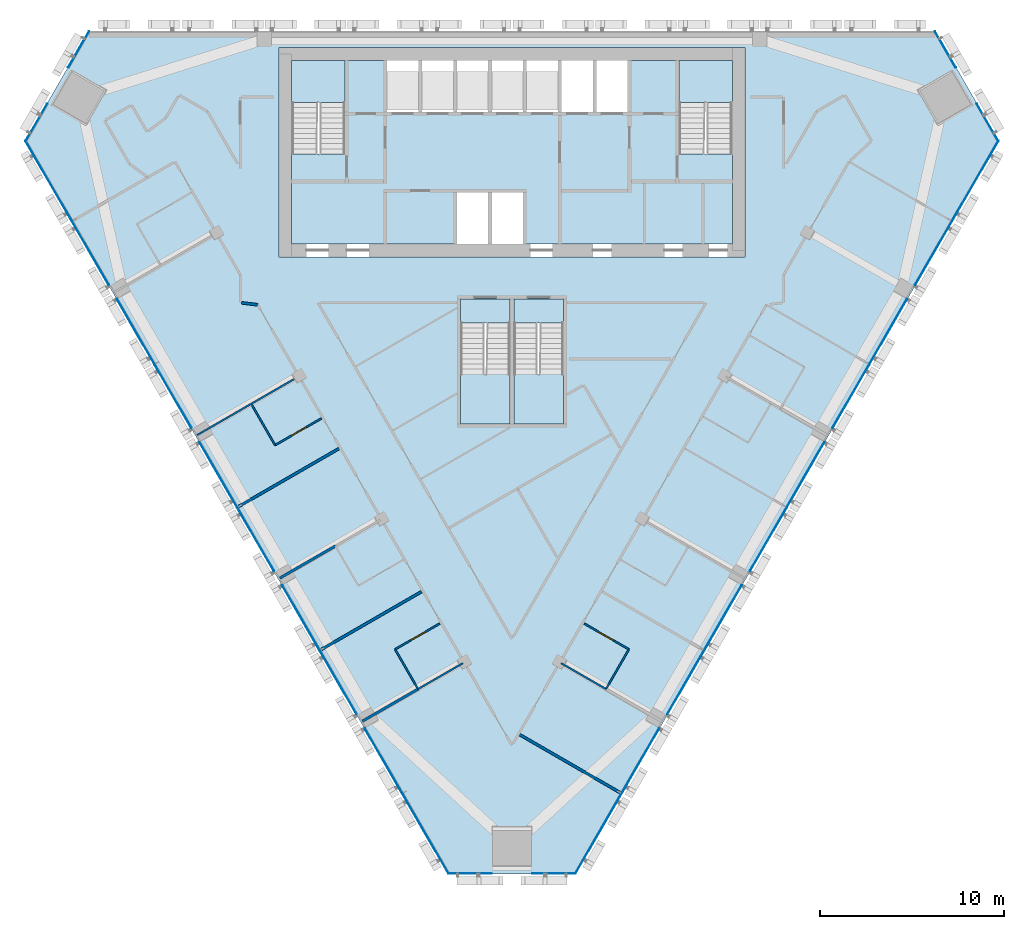
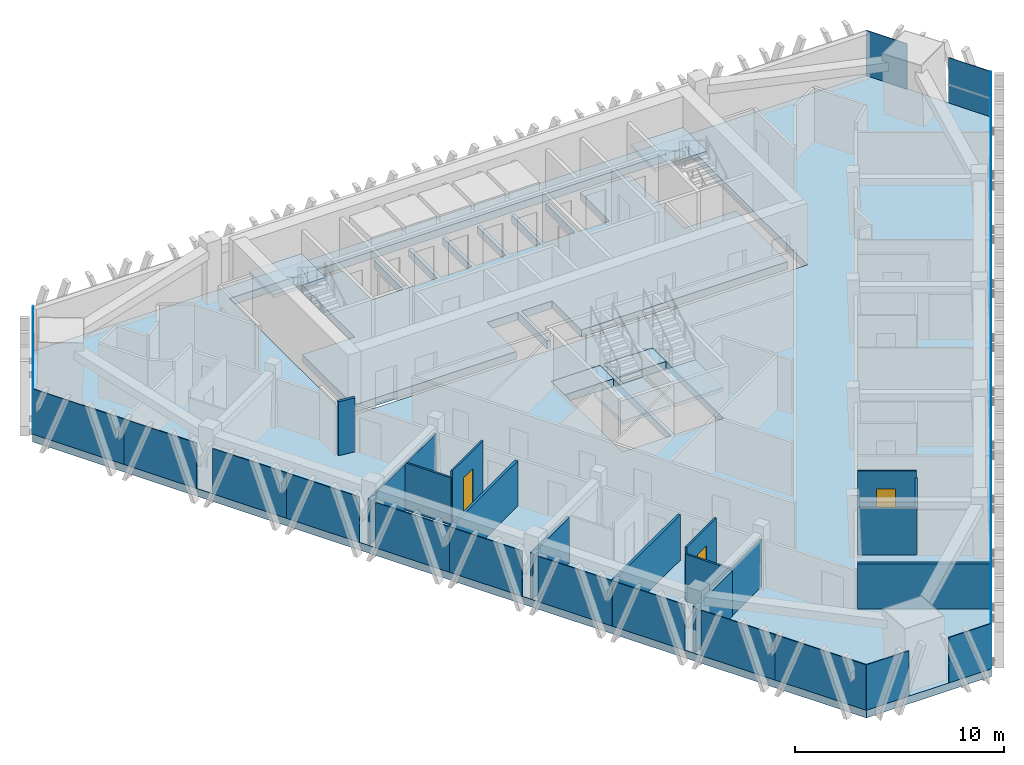
# One storey, part 8 of 15: 26 plates, 15 walls, 8 slabs, 3 doors, 3 openings, 9 elements without a shape of their own.
"""IFC4 building model written with IfcOpenShell, lengths in metres."""

from ifc_helpers import new_model, si_unit, direction, frame, frame_2d, origin, origin_2d, place, context, subcontext, project, spatial, polyline, rectangle, outline, extrude, material, layer, layer_set, type_object, element, fill, aggregate, save


model = new_model("IFC4")

# Units and contexts
model_context = context("Model", 3, precision=1e-05, world=origin(), true_north=direction((0.0, 1.0)))
body_context = subcontext(model_context, "Body", "Model", "MODEL_VIEW")
ifc_project = project(units=[si_unit("LENGTHUNIT", "METRE"), si_unit("AREAUNIT", "SQUARE_METRE"), si_unit("VOLUMEUNIT", "CUBIC_METRE"), si_unit("PLANEANGLEUNIT", "RADIAN"), si_unit("MASSUNIT", "GRAM", prefix="KILO")], contexts=[model_context])

# Site, building, storey
site_placement = place(None, origin())
site = spatial("IfcSite", under=ifc_project, at=site_placement, CompositionType="ELEMENT")
building_placement = place(site_placement, origin())
building = spatial("IfcBuilding", under=site, at=building_placement, Name="Altiplano Prism Tower", CompositionType="ELEMENT")
storey_placement = place(building_placement, frame((0.0, 0.0, 171.0)))
storey = spatial("IfcBuildingStorey", under=building, at=storey_placement, Name="L44", CompositionType="ELEMENT", Elevation=171.0)

# Curtain wall, plates
ifc_material_1 = material(Name="Aluminium and glass", Category="aluminium")
ifc_layer_1 = layer(ifc_material_1, 0.280029296875)
ifc_layer_set_1 = layer_set([ifc_layer_1], Name="Aluminium and glass")
curtain_wall_type = type_object("IfcCurtainWallType", Name="CW1 typical co-living unitised curtain wall", PredefinedType="NOTDEFINED", material=ifc_layer_set_1)
curtain_wall_1_placement = place(storey_placement, origin())
curtain_wall_1 = element("IfcCurtainWall", 1, at=curtain_wall_1_placement, inside=storey, type_object=curtain_wall_type, Name="CW1 curtain wall north-west chamfer L44", PredefinedType="NOTDEFINED")
ifc_material_2 = material(Name="Clear glass", Category="glass")
ifc_layer_2 = layer(ifc_material_2, 0.0400390625)
ifc_layer_set_2 = layer_set([ifc_layer_2], Name="Clear glass")
plate_type = type_object("IfcPlateType", Name="CW1 insulated glass unit 40", PredefinedType="CURTAIN_PANEL", material=ifc_layer_set_2)
plate_1_placement = place(storey_placement, frame((61.39453125, 104.00244140625, 0.0), z_axis=(0.0, 0.0, 1.0), x_axis=(-0.500000018304, -0.866025393216, 0.0)))
plate_1 = element("IfcPlate", 2, at=plate_1_placement, type_object=plate_type, Name="CW1 panel", PredefinedType="CURTAIN_PANEL", context=body_context, shape_type="SweptSolid", body=[
    extrude(rectangle(XDim=2.270751953125, YDim=0.0400390625, at=origin_2d()), origin(), (0.0, 0.0, 1.0), 2.64990234375),
])
plate_2_placement = place(storey_placement, frame((59.09423828125, 100.018310546875, 0.0), z_axis=(0.0, 0.0, 1.0), x_axis=(-0.500000018304, -0.866025393216, 0.0)))
plate_2 = element("IfcPlate", 3, at=plate_2_placement, type_object=plate_type, Name="CW1 panel", PredefinedType="CURTAIN_PANEL", context=body_context, shape_type="SweptSolid", body=[
    extrude(rectangle(XDim=2.3505859375, YDim=0.0400390625, at=origin_2d()), origin(), (0.0, 0.0, 1.0), 2.64990234375),
])
aggregate(curtain_wall_1, [plate_1, plate_2])

curtain_wall_2_placement = place(storey_placement, origin())
curtain_wall_2 = element("IfcCurtainWall", 4, at=curtain_wall_2_placement, inside=storey, type_object=curtain_wall_type, Name="CW1 curtain wall south-west face L44", PredefinedType="NOTDEFINED")
plate_3_placement = place(storey_placement, frame((59.76708984375, 96.828125, 0.0), z_axis=(0.0, 0.0, 1.0), x_axis=(0.499999992367, -0.866025408191, 0.0)))
plate_3 = element("IfcPlate", 5, at=plate_3_placement, type_object=plate_type, Name="CW1 panel", PredefinedType="CURTAIN_PANEL", context=body_context, shape_type="SweptSolid", body=[
    extrude(rectangle(XDim=5.042724609375, YDim=0.0400390625, at=origin_2d()), origin(), (0.0, 0.0, 1.0), 2.64990234375),
])
plate_4_placement = place(storey_placement, frame((62.035400390625, 92.8994140625, 0.0), z_axis=(0.0, 0.0, 1.0), x_axis=(0.499999992367, -0.866025408191, 0.0)))
plate_4 = element("IfcPlate", 6, at=plate_4_placement, type_object=plate_type, Name="CW1 panel", PredefinedType="CURTAIN_PANEL", context=body_context, shape_type="SweptSolid", body=[
    extrude(rectangle(XDim=4.010498046875, YDim=0.0400390625, at=origin_2d()), origin(), (0.0, 0.0, 1.0), 2.64990234375),
])
plate_5_placement = place(storey_placement, frame((64.505615234375, 88.62109375, 0.0), z_axis=(0.0, 0.0, 1.0), x_axis=(0.499999992367, -0.866025408191, 0.0)))
plate_5 = element("IfcPlate", 7, at=plate_5_placement, type_object=plate_type, Name="CW1 panel", PredefinedType="CURTAIN_PANEL", context=body_context, shape_type="SweptSolid", body=[
    extrude(rectangle(XDim=4.08935546875, YDim=0.0400390625, at=origin_2d()), origin(), (0.0, 0.0, 1.0), 2.64990234375),
])
plate_6_placement = place(storey_placement, frame((66.535400390625, 85.105224609375, 0.0), z_axis=(0.0, 0.0, 1.0), x_axis=(0.499999992367, -0.866025408191, 0.0)))
plate_6 = element("IfcPlate", 8, at=plate_6_placement, type_object=plate_type, Name="CW1 panel", PredefinedType="CURTAIN_PANEL", context=body_context, shape_type="SweptSolid", body=[
    extrude(rectangle(XDim=4.010498046875, YDim=0.0400390625, at=origin_2d()), origin(), (0.0, 0.0, 1.0), 2.64990234375),
])
plate_7_placement = place(storey_placement, frame((69.005615234375, 80.826904296875, 0.0), z_axis=(0.0, 0.0, 1.0), x_axis=(0.499999992367, -0.866025408191, 0.0)))
plate_7 = element("IfcPlate", 9, at=plate_7_placement, type_object=plate_type, Name="CW1 panel", PredefinedType="CURTAIN_PANEL", context=body_context, shape_type="SweptSolid", body=[
    extrude(rectangle(XDim=4.08935546875, YDim=0.0400390625, at=origin_2d()), origin(), (0.0, 0.0, 1.0), 2.64990234375),
])
plate_8_placement = place(storey_placement, frame((71.035400390625, 77.31103515625, 0.0), z_axis=(0.0, 0.0, 1.0), x_axis=(0.499999992367, -0.866025408191, 0.0)))
plate_8 = element("IfcPlate", 10, at=plate_8_placement, type_object=plate_type, Name="CW1 panel", PredefinedType="CURTAIN_PANEL", context=body_context, shape_type="SweptSolid", body=[
    extrude(rectangle(XDim=4.010498046875, YDim=0.0400390625, at=origin_2d()), origin(), (0.0, 0.0, 1.0), 2.64990234375),
])
plate_9_placement = place(storey_placement, frame((73.505615234375, 73.03271484375, 0.0), z_axis=(0.0, 0.0, 1.0), x_axis=(0.499999992367, -0.866025408191, 0.0)))
plate_9 = element("IfcPlate", 11, at=plate_9_placement, type_object=plate_type, Name="CW1 panel", PredefinedType="CURTAIN_PANEL", context=body_context, shape_type="SweptSolid", body=[
    extrude(rectangle(XDim=4.08935546875, YDim=0.0400390625, at=origin_2d()), origin(), (0.0, 0.0, 1.0), 2.64990234375),
])
plate_10_placement = place(storey_placement, frame((75.535400390625, 69.5166015625, 0.0), z_axis=(0.0, 0.0, 1.0), x_axis=(0.499999992367, -0.866025408191, 0.0)))
plate_10 = element("IfcPlate", 12, at=plate_10_placement, type_object=plate_type, Name="CW1 panel", PredefinedType="CURTAIN_PANEL", context=body_context, shape_type="SweptSolid", body=[
    extrude(rectangle(XDim=4.010498046875, YDim=0.0400390625, at=origin_2d()), origin(), (0.0, 0.0, 1.0), 2.64990234375),
])
plate_11_placement = place(storey_placement, frame((78.005615234375, 65.238525390625, 0.0), z_axis=(0.0, 0.0, 1.0), x_axis=(0.499999992367, -0.866025408191, 0.0)))
plate_11 = element("IfcPlate", 13, at=plate_11_placement, type_object=plate_type, Name="CW1 panel", PredefinedType="CURTAIN_PANEL", context=body_context, shape_type="SweptSolid", body=[
    extrude(rectangle(XDim=4.08935546875, YDim=0.0400390625, at=origin_2d()), origin(), (0.0, 0.0, 1.0), 2.64990234375),
])
plate_12_placement = place(storey_placement, frame((80.29345703125, 61.275390625, 0.0), z_axis=(0.0, 0.0, 1.0), x_axis=(0.499999992367, -0.866025408191, 0.0)))
plate_12 = element("IfcPlate", 14, at=plate_12_placement, type_object=plate_type, Name="CW1 panel", PredefinedType="CURTAIN_PANEL", context=body_context, shape_type="SweptSolid", body=[
    extrude(rectangle(XDim=5.042724609375, YDim=0.0400390625, at=origin_2d()), origin(), (0.0, 0.0, 1.0), 2.64990234375),
])
aggregate(curtain_wall_2, [plate_3, plate_4, plate_5, plate_6, plate_7, plate_8, plate_9, plate_10, plate_11, plate_12])

curtain_wall_3_placement = place(storey_placement, origin())
curtain_wall_3 = element("IfcCurtainWall", 15, at=curtain_wall_3_placement, inside=storey, type_object=curtain_wall_type, Name="CW1 curtain wall south chamfer L44", PredefinedType="NOTDEFINED")
plate_13_placement = place(storey_placement, frame((82.7197265625, 59.09765625, 0.0), z_axis=(0.0, 0.0, 1.0), x_axis=(1.0, 0.0, 0.0)))
plate_13 = element("IfcPlate", 16, at=plate_13_placement, type_object=plate_type, Name="CW1 panel", PredefinedType="CURTAIN_PANEL", context=body_context, shape_type="SweptSolid", body=[
    extrude(rectangle(XDim=2.3505859375, YDim=0.0400390625, at=origin_2d()), origin(), (0.0, 0.0, 1.0), 2.64990234375),
])
plate_14_placement = place(storey_placement, frame((87.2802734375, 59.09765625, 0.0), z_axis=(0.0, 0.0, 1.0), x_axis=(1.0, 0.0, 0.0)))
plate_14 = element("IfcPlate", 17, at=plate_14_placement, type_object=plate_type, Name="CW1 panel", PredefinedType="CURTAIN_PANEL", context=body_context, shape_type="SweptSolid", body=[
    extrude(rectangle(XDim=2.3505859375, YDim=0.0400390625, at=origin_2d()), origin(), (0.0, 0.0, 1.0), 2.64990234375),
])
aggregate(curtain_wall_3, [plate_13, plate_14])

curtain_wall_4_placement = place(storey_placement, origin())
curtain_wall_4 = element("IfcCurtainWall", 18, at=curtain_wall_4_placement, inside=storey, type_object=curtain_wall_type, Name="CW1 curtain wall south-east face L44", PredefinedType="NOTDEFINED")
plate_15_placement = place(storey_placement, frame((89.70654296875, 61.275390625, 0.0), z_axis=(0.0, 0.0, 1.0), x_axis=(0.499999992367, 0.866025408191, 0.0)))
plate_15 = element("IfcPlate", 19, at=plate_15_placement, type_object=plate_type, Name="CW1 panel", PredefinedType="CURTAIN_PANEL", context=body_context, shape_type="SweptSolid", body=[
    extrude(rectangle(XDim=5.042724609375, YDim=0.0400390625, at=origin_2d()), origin(), (0.0, 0.0, 1.0), 2.64990234375),
])
plate_16_placement = place(storey_placement, frame((91.994384765625, 65.238525390625, 0.0), z_axis=(0.0, 0.0, 1.0), x_axis=(0.499999992367, 0.866025408191, 0.0)))
plate_16 = element("IfcPlate", 20, at=plate_16_placement, type_object=plate_type, Name="CW1 panel", PredefinedType="CURTAIN_PANEL", context=body_context, shape_type="SweptSolid", body=[
    extrude(rectangle(XDim=4.08935546875, YDim=0.0400390625, at=origin_2d()), origin(), (0.0, 0.0, 1.0), 2.64990234375),
])
plate_17_placement = place(storey_placement, frame((94.464599609375, 69.5166015625, 0.0), z_axis=(0.0, 0.0, 1.0), x_axis=(0.499999992367, 0.866025408191, 0.0)))
plate_17 = element("IfcPlate", 21, at=plate_17_placement, type_object=plate_type, Name="CW1 panel", PredefinedType="CURTAIN_PANEL", context=body_context, shape_type="SweptSolid", body=[
    extrude(rectangle(XDim=4.010498046875, YDim=0.0400390625, at=origin_2d()), origin(), (0.0, 0.0, 1.0), 2.64990234375),
])
plate_18_placement = place(storey_placement, frame((96.494384765625, 73.03271484375, 0.0), z_axis=(0.0, 0.0, 1.0), x_axis=(0.499999992367, 0.866025408191, 0.0)))
plate_18 = element("IfcPlate", 22, at=plate_18_placement, type_object=plate_type, Name="CW1 panel", PredefinedType="CURTAIN_PANEL", context=body_context, shape_type="SweptSolid", body=[
    extrude(rectangle(XDim=4.08935546875, YDim=0.0400390625, at=origin_2d()), origin(), (0.0, 0.0, 1.0), 2.64990234375),
])
plate_19_placement = place(storey_placement, frame((98.964599609375, 77.31103515625, 0.0), z_axis=(0.0, 0.0, 1.0), x_axis=(0.499999992367, 0.866025408191, 0.0)))
plate_19 = element("IfcPlate", 23, at=plate_19_placement, type_object=plate_type, Name="CW1 panel", PredefinedType="CURTAIN_PANEL", context=body_context, shape_type="SweptSolid", body=[
    extrude(rectangle(XDim=4.010498046875, YDim=0.0400390625, at=origin_2d()), origin(), (0.0, 0.0, 1.0), 2.64990234375),
])
plate_20_placement = place(storey_placement, frame((100.994384765625, 80.826904296875, 0.0), z_axis=(0.0, 0.0, 1.0), x_axis=(0.499999992367, 0.866025408191, 0.0)))
plate_20 = element("IfcPlate", 24, at=plate_20_placement, type_object=plate_type, Name="CW1 panel", PredefinedType="CURTAIN_PANEL", context=body_context, shape_type="SweptSolid", body=[
    extrude(rectangle(XDim=4.08935546875, YDim=0.0400390625, at=origin_2d()), origin(), (0.0, 0.0, 1.0), 2.64990234375),
])
plate_21_placement = place(storey_placement, frame((103.464599609375, 85.105224609375, 0.0), z_axis=(0.0, 0.0, 1.0), x_axis=(0.499999992367, 0.866025408191, 0.0)))
plate_21 = element("IfcPlate", 25, at=plate_21_placement, type_object=plate_type, Name="CW1 panel", PredefinedType="CURTAIN_PANEL", context=body_context, shape_type="SweptSolid", body=[
    extrude(rectangle(XDim=4.010498046875, YDim=0.0400390625, at=origin_2d()), origin(), (0.0, 0.0, 1.0), 2.64990234375),
])
plate_22_placement = place(storey_placement, frame((105.494384765625, 88.62109375, 0.0), z_axis=(0.0, 0.0, 1.0), x_axis=(0.499999992367, 0.866025408191, 0.0)))
plate_22 = element("IfcPlate", 26, at=plate_22_placement, type_object=plate_type, Name="CW1 panel", PredefinedType="CURTAIN_PANEL", context=body_context, shape_type="SweptSolid", body=[
    extrude(rectangle(XDim=4.08935546875, YDim=0.0400390625, at=origin_2d()), origin(), (0.0, 0.0, 1.0), 2.64990234375),
])
plate_23_placement = place(storey_placement, frame((107.964599609375, 92.8994140625, 0.0), z_axis=(0.0, 0.0, 1.0), x_axis=(0.499999992367, 0.866025408191, 0.0)))
plate_23 = element("IfcPlate", 27, at=plate_23_placement, type_object=plate_type, Name="CW1 panel", PredefinedType="CURTAIN_PANEL", context=body_context, shape_type="SweptSolid", body=[
    extrude(rectangle(XDim=4.010498046875, YDim=0.0400390625, at=origin_2d()), origin(), (0.0, 0.0, 1.0), 2.64990234375),
])
plate_24_placement = place(storey_placement, frame((110.23291015625, 96.828125, 0.0), z_axis=(0.0, 0.0, 1.0), x_axis=(0.499999992367, 0.866025408191, 0.0)))
plate_24 = element("IfcPlate", 28, at=plate_24_placement, type_object=plate_type, Name="CW1 panel", PredefinedType="CURTAIN_PANEL", context=body_context, shape_type="SweptSolid", body=[
    extrude(rectangle(XDim=5.042724609375, YDim=0.0400390625, at=origin_2d()), origin(), (0.0, 0.0, 1.0), 2.64990234375),
])
aggregate(curtain_wall_4, [plate_15, plate_16, plate_17, plate_18, plate_19, plate_20, plate_21, plate_22, plate_23, plate_24])

curtain_wall_5_placement = place(storey_placement, origin())
curtain_wall_5 = element("IfcCurtainWall", 29, at=curtain_wall_5_placement, inside=storey, type_object=curtain_wall_type, Name="CW1 curtain wall north-east chamfer L44", PredefinedType="NOTDEFINED")
plate_25_placement = place(storey_placement, frame((110.90576171875, 100.018310546875, 0.0), z_axis=(0.0, 0.0, 1.0), x_axis=(-0.500000018304, 0.866025393216, 0.0)))
plate_25 = element("IfcPlate", 30, at=plate_25_placement, type_object=plate_type, Name="CW1 panel", PredefinedType="CURTAIN_PANEL", context=body_context, shape_type="SweptSolid", body=[
    extrude(rectangle(XDim=2.3505859375, YDim=0.0400390625, at=origin_2d()), origin(), (0.0, 0.0, 1.0), 2.64990234375),
])
plate_26_placement = place(storey_placement, frame((108.60546875, 104.00244140625, 0.0), z_axis=(0.0, 0.0, 1.0), x_axis=(-0.500000018304, 0.866025393216, 0.0)))
plate_26 = element("IfcPlate", 31, at=plate_26_placement, type_object=plate_type, Name="CW1 panel", PredefinedType="CURTAIN_PANEL", context=body_context, shape_type="SweptSolid", body=[
    extrude(rectangle(XDim=2.270751953125, YDim=0.0400390625, at=origin_2d()), origin(), (0.0, 0.0, 1.0), 2.64990234375),
])
aggregate(curtain_wall_5, [plate_25, plate_26])

# Slabs
ifc_material_3 = material(Name="Concrete C40/50", Category="concrete")
ifc_layer_3 = layer(ifc_material_3, 0.449951171875)
ifc_layer_set_3 = layer_set([ifc_layer_3], Name="Concrete C40/50")
slab_type_1 = type_object("IfcSlabType", Name="Core floor slab 450", PredefinedType="FLOOR", material=ifc_layer_set_3)
slab_1_placement = place(storey_placement, frame((0.0, 0.0, -0.449951171875)))
element("IfcSlab", 32, at=slab_1_placement, inside=storey, type_object=slab_type_1, Name="Core floor slab L44", PredefinedType="FLOOR", context=body_context, shape_type="SweptSolid", body=[
    extrude(outline(polyline([(97.0, 98.31005859375), (94.10009765625, 98.31005859375), (94.10009765625, 103.39990234375), (91.300048828125, 103.39990234375), (91.300048828125, 100.60009765625), (89.60009765625, 100.60009765625), (89.60009765625, 103.39990234375), (89.39990234375, 103.39990234375), (89.39990234375, 100.60009765625), (87.699951171875, 100.60009765625), (87.699951171875, 103.39990234375), (87.5, 103.39990234375), (87.5, 100.60009765625), (85.800048828125, 100.60009765625), (85.800048828125, 103.39990234375), (85.60009765625, 103.39990234375), (85.60009765625, 100.60009765625), (83.89990234375, 100.60009765625), (83.89990234375, 103.39990234375), (83.699951171875, 103.39990234375), (83.699951171875, 100.60009765625), (82.0, 100.60009765625), (82.0, 103.39990234375), (81.800048828125, 103.39990234375), (81.800048828125, 100.60009765625), (80.10009765625, 100.60009765625), (80.10009765625, 103.39990234375), (79.89990234375, 103.39990234375), (79.89990234375, 100.60009765625), (78.199951171875, 100.60009765625), (78.199951171875, 103.39990234375), (75.89990234375, 103.39990234375), (75.89990234375, 98.31005859375), (73.0, 98.31005859375), (73.0, 93.39990234375), (82.0, 93.39990234375), (82.0, 96.199951171875), (83.699951171875, 96.199951171875), (83.699951171875, 93.39990234375), (83.89990234375, 93.39990234375), (83.89990234375, 96.199951171875), (85.60009765625, 96.199951171875), (85.60009765625, 93.39990234375), (97.0, 93.39990234375), (97.0, 98.31005859375)])), origin(), (0.0, 0.0, 1.0), 0.449951171875),
])
slab_2_placement = place(storey_placement, frame((0.0, 0.0, -0.449951171875)))
element("IfcSlab", 33, at=slab_2_placement, inside=storey, type_object=slab_type_1, Name="Stair 3A landing slab L44", PredefinedType="FLOOR", context=body_context, shape_type="SweptSolid", body=[
    extrude(outline(polyline([(82.199951171875, 89.096923828125), (84.89990234375, 89.096923828125), (84.89990234375, 90.39990234375), (82.199951171875, 90.39990234375), (82.199951171875, 89.096923828125)])), origin(), (0.0, 0.0, 1.0), 0.449951171875),
])
slab_3_placement = place(storey_placement, frame((0.0, 0.0, -0.449951171875)))
element("IfcSlab", 34, at=slab_3_placement, inside=storey, type_object=slab_type_1, Name="Stair 3B landing slab L44", PredefinedType="FLOOR", context=body_context, shape_type="SweptSolid", body=[
    extrude(outline(polyline([(85.10009765625, 89.096923828125), (87.800048828125, 89.096923828125), (87.800048828125, 90.39990234375), (85.10009765625, 90.39990234375), (85.10009765625, 89.096923828125)])), origin(), (0.0, 0.0, 1.0), 0.449951171875),
])
ifc_layer_4 = layer(ifc_material_3, 0.449951171875)
ifc_layer_set_4 = layer_set([ifc_layer_4], Name="Concrete C40/50")
slab_type_2 = type_object("IfcSlabType", Name="Post-tensioned flat slab 450", PredefinedType="FLOOR", material=ifc_layer_set_4)
slab_4_placement = place(storey_placement, frame((0.0, 0.0, -0.449951171875)))
element("IfcSlab", 35, at=slab_4_placement, inside=storey, type_object=slab_type_2, Name="Floor slab L44", PredefinedType="FLOOR", context=body_context, shape_type="SweptSolid", body=[
    extrude(outline(polyline([(81.539306640625, 59.07763671875), (58.48681640625, 99.006103515625), (61.947265625, 105.0), (108.052734375, 105.0), (111.51318359375, 99.006103515625), (88.460693359375, 59.07763671875), (81.539306640625, 59.07763671875)]), holes=[polyline([(72.300048828125, 104.10009765625), (72.300048828125, 92.699951171875), (97.699951171875, 92.699951171875), (97.699951171875, 104.10009765625), (72.300048828125, 104.10009765625)]), polyline([(84.89990234375, 90.39990234375), (82.199951171875, 90.39990234375), (82.199951171875, 83.60009765625), (84.89990234375, 83.60009765625), (84.89990234375, 90.39990234375)]), polyline([(87.800048828125, 83.60009765625), (87.800048828125, 90.39990234375), (85.10009765625, 90.39990234375), (85.10009765625, 83.60009765625), (87.800048828125, 83.60009765625)])]), origin(), (0.0, 0.0, 1.0), 0.449951171875),
])

# Stair, slab
stair_type_1 = type_object("IfcStairType", Name="Exit stair 1400", PredefinedType="HALF_TURN_STAIR", material=ifc_material_3)
stair_1_placement = place(storey_placement, origin())
stair_1 = element("IfcStair", 36, at=stair_1_placement, inside=storey, type_object=stair_type_1, Name="L44 Exit Stair 1", PredefinedType="HALF_TURN_STAIR")
ifc_layer_5 = layer(ifc_material_3, 0.199951171875)
ifc_layer_set_5 = layer_set([ifc_layer_5], Name="Concrete C40/50")
slab_type_3 = type_object("IfcSlabType", Name="Stair landing 200", PredefinedType="LANDING", material=ifc_layer_set_5)
slab_5_placement = place(storey_placement, frame((0.0, 0.0, 1.60009765625)))
slab_5 = element("IfcSlab", 37, at=slab_5_placement, type_object=slab_type_3, Name="ST1 landing 1", PredefinedType="LANDING", context=body_context, shape_type="SweptSolid", body=[
    extrude(outline(polyline([(75.89990234375, 101.096923828125), (75.89990234375, 103.39990234375), (73.0, 103.39990234375), (73.0, 101.096923828125), (75.89990234375, 101.096923828125)])), origin(), (0.0, 0.0, 1.0), 0.199951171875),
])
aggregate(stair_1, [slab_5])

stair_2_placement = place(storey_placement, origin())
stair_2 = element("IfcStair", 38, at=stair_2_placement, inside=storey, type_object=stair_type_1, Name="L44 Exit Stair 2", PredefinedType="HALF_TURN_STAIR")
slab_6_placement = place(storey_placement, frame((0.0, 0.0, 1.60009765625)))
slab_6 = element("IfcSlab", 39, at=slab_6_placement, type_object=slab_type_3, Name="ST2 landing 1", PredefinedType="LANDING", context=body_context, shape_type="SweptSolid", body=[
    extrude(outline(polyline([(97.0, 101.096923828125), (97.0, 103.39990234375), (94.10009765625, 103.39990234375), (94.10009765625, 101.096923828125), (97.0, 101.096923828125)])), origin(), (0.0, 0.0, 1.0), 0.199951171875),
])
aggregate(stair_2, [slab_6])

stair_type_2 = type_object("IfcStairType", Name="Exit stair 1300", PredefinedType="HALF_TURN_STAIR", material=ifc_material_3)
stair_3_placement = place(storey_placement, origin())
stair_3 = element("IfcStair", 40, at=stair_3_placement, inside=storey, type_object=stair_type_2, Name="L44 Exit Stair 3A", PredefinedType="HALF_TURN_STAIR")
slab_7_placement = place(storey_placement, frame((0.0, 0.0, 1.60009765625)))
slab_7 = element("IfcSlab", 41, at=slab_7_placement, type_object=slab_type_3, Name="ST3A landing 1", PredefinedType="LANDING", context=body_context, shape_type="SweptSolid", body=[
    extrude(outline(polyline([(82.199951171875, 86.302978515625), (82.199951171875, 83.60009765625), (84.89990234375, 83.60009765625), (84.89990234375, 86.302978515625), (82.199951171875, 86.302978515625)])), origin(), (0.0, 0.0, 1.0), 0.199951171875),
])
aggregate(stair_3, [slab_7])

stair_4_placement = place(storey_placement, origin())
stair_4 = element("IfcStair", 42, at=stair_4_placement, inside=storey, type_object=stair_type_2, Name="L44 Exit Stair 3B", PredefinedType="HALF_TURN_STAIR")
slab_8_placement = place(storey_placement, frame((0.0, 0.0, 1.60009765625)))
slab_8 = element("IfcSlab", 43, at=slab_8_placement, type_object=slab_type_3, Name="ST3B landing 1", PredefinedType="LANDING", context=body_context, shape_type="SweptSolid", body=[
    extrude(outline(polyline([(85.10009765625, 86.302978515625), (85.10009765625, 83.60009765625), (87.800048828125, 83.60009765625), (87.800048828125, 86.302978515625), (85.10009765625, 86.302978515625)])), origin(), (0.0, 0.0, 1.0), 0.199951171875),
])
aggregate(stair_4, [slab_8])

# Wall, opening, door
ifc_material_4 = material(Name="Plasterboard on steel stud", Category="steel")
ifc_layer_6 = layer(ifc_material_4, 0.10009765625)
ifc_layer_set_6 = layer_set([ifc_layer_6], Name="Plasterboard on steel stud")
wall_type_1 = type_object("IfcWallType", Name="Partition 100 unit", PredefinedType="PARTITIONING", material=ifc_layer_set_6)
wall_1_placement = place(storey_placement, frame((74.627197265625, 83.89990234375, 0.0), z_axis=(0.0, 0.0, 1.0), x_axis=(-0.865989585315, -0.500062034277, 0.0)))
wall_1 = element("IfcWall", 44, at=wall_1_placement, inside=storey, type_object=wall_type_1, Name="Partition P02 L44 043", PredefinedType="PARTITIONING", context=body_context, shape_type="SweptSolid", body=[
    extrude(rectangle(XDim=2.925048828125, YDim=0.10009765625, at=frame_2d((1.46240234375, 0.0))), origin(), (0.0, 0.0, 1.0), 3.14990234375),
])
opening_1_placement = place(wall_1_placement, frame((0.97509765625, 0.0, 0.0)))
opening_1 = element("IfcOpeningElement", 45, at=opening_1_placement, cuts=wall_1, Name="Opening D1553", PredefinedType="OPENING", context=body_context, shape_type="SweptSolid", body=[
    extrude(rectangle(XDim=0.89990234375, YDim=2.10009765625, at=frame_2d((0.449951171875, 1.050048828125))), frame((0.0, 0.060546875, 0.0), z_axis=(0.0, -1.0, 0.0), x_axis=(1.0, 0.0, 0.0)), (0.0, 0.0, 1.0), 0.12109375),
])
ifc_material_5 = material(Name="Timber", Category="wood")
door_type = type_object("IfcDoorType", Name="Ensuite door 900 x 2100", OperationType="NOTDEFINED", PredefinedType="NOTDEFINED", material=ifc_material_5)
door_1_placement = place(opening_1_placement, origin())
door_1 = element("IfcDoor", 46, at=door_1_placement, inside=storey, type_object=door_type, Name="Door D1553", OperationType="SINGLE_SWING_LEFT", OverallHeight=2.10009765625, OverallWidth=0.89990234375, PredefinedType="NOTDEFINED", context=body_context, shape_type="SweptSolid", body=[
    extrude(rectangle(XDim=0.89990234375, YDim=2.10009765625, at=frame_2d((0.449951171875, 1.050048828125))), frame((0.0, 0.02490234375, 0.0), z_axis=(0.0, -1.0, 0.0), x_axis=(1.0, 0.0, 0.0)), (0.0, 0.0, 1.0), 0.050048828125),
])
fill(opening_1, door_1)

# Walls
wall_2_placement = place(storey_placement, frame((72.09423828125, 82.437255859375, 0.0), z_axis=(0.0, 0.0, 1.0), x_axis=(-0.500020783669, 0.866013403995, 0.0)))
element("IfcWall", 47, at=wall_2_placement, inside=storey, type_object=wall_type_1, Name="Partition P02 L44 044", PredefinedType="PARTITIONING", context=body_context, shape_type="SweptSolid", body=[
    extrude(rectangle(XDim=2.55029296875, YDim=0.10009765625, at=frame_2d((1.275146484375, 0.0))), origin(), (0.0, 0.0, 1.0), 2.75),
])
wall_3_placement = place(storey_placement, frame((79.84326171875, 69.21533203125, 0.0), z_axis=(0.0, 0.0, 1.0), x_axis=(-0.499928696113, 0.866066567189, 0.0)))
element("IfcWall", 48, at=wall_3_placement, inside=storey, type_object=wall_type_1, Name="Partition P02 L44 051", PredefinedType="PARTITIONING", context=body_context, shape_type="SweptSolid", body=[
    extrude(rectangle(XDim=2.425048828125, YDim=0.10009765625, at=frame_2d((1.21240234375, 0.0))), origin(), (0.0, 0.0, 1.0), 2.75),
])

# Wall, opening, door
wall_4_placement = place(storey_placement, frame((78.630859375, 71.315673828125, 0.0), z_axis=(0.0, 0.0, 1.0), x_axis=(0.866027263711, 0.4999967785, 0.0)))
wall_4 = element("IfcWall", 49, at=wall_4_placement, inside=storey, type_object=wall_type_1, Name="Partition P02 L44 052", PredefinedType="PARTITIONING", context=body_context, shape_type="SweptSolid", body=[
    extrude(rectangle(XDim=2.82470703125, YDim=0.10009765625, at=frame_2d((1.412353515625, 0.0))), origin(), (0.0, 0.0, 1.0), 3.14990234375),
])
opening_2_placement = place(wall_4_placement, frame((1.0, 0.0, 0.0)))
opening_2 = element("IfcOpeningElement", 50, at=opening_2_placement, cuts=wall_4, Name="Opening D1558", PredefinedType="OPENING", context=body_context, shape_type="SweptSolid", body=[
    extrude(rectangle(XDim=0.89990234375, YDim=2.10009765625, at=frame_2d((0.449951171875, 1.050048828125))), frame((0.0, 0.060546875, 0.0), z_axis=(0.0, -1.0, 0.0), x_axis=(1.0, 0.0, 0.0)), (0.0, 0.0, 1.0), 0.12109375),
])
door_2_placement = place(opening_2_placement, origin())
door_2 = element("IfcDoor", 51, at=door_2_placement, inside=storey, type_object=door_type, Name="Door D1558", OperationType="SINGLE_SWING_RIGHT", OverallHeight=2.10009765625, OverallWidth=0.89990234375, PredefinedType="NOTDEFINED", context=body_context, shape_type="SweptSolid", body=[
    extrude(rectangle(XDim=0.89990234375, YDim=2.10009765625, at=frame_2d((0.449951171875, 1.050048828125))), frame((0.0, 0.02490234375, 0.0), z_axis=(0.0, -1.0, 0.0), x_axis=(1.0, 0.0, 0.0)), (0.0, 0.0, 1.0), 0.050048828125),
])
fill(opening_2, door_2)

wall_5_placement = place(storey_placement, frame((88.9228515625, 72.72802734375, 0.0), z_axis=(0.0, 0.0, 1.0), x_axis=(0.866027263711, -0.4999967785, 0.0)))
wall_5 = element("IfcWall", 52, at=wall_5_placement, inside=storey, type_object=wall_type_1, Name="Partition P02 L44 058", PredefinedType="PARTITIONING", context=body_context, shape_type="SweptSolid", body=[
    extrude(rectangle(XDim=2.82470703125, YDim=0.10009765625, at=frame_2d((1.412353515625, 0.0))), origin(), (0.0, 0.0, 1.0), 3.14990234375),
])
opening_3_placement = place(wall_5_placement, frame((0.925048828125, 0.0, 0.0)))
opening_3 = element("IfcOpeningElement", 53, at=opening_3_placement, cuts=wall_5, Name="Opening D1562", PredefinedType="OPENING", context=body_context, shape_type="SweptSolid", body=[
    extrude(rectangle(XDim=0.89990234375, YDim=2.10009765625, at=frame_2d((0.449951171875, 1.050048828125))), frame((0.0, 0.060546875, 0.0), z_axis=(0.0, -1.0, 0.0), x_axis=(1.0, 0.0, 0.0)), (0.0, 0.0, 1.0), 0.12109375),
])
door_3_placement = place(opening_3_placement, origin())
door_3 = element("IfcDoor", 54, at=door_3_placement, inside=storey, type_object=door_type, Name="Door D1562", OperationType="SINGLE_SWING_LEFT", OverallHeight=2.10009765625, OverallWidth=0.89990234375, PredefinedType="NOTDEFINED", context=body_context, shape_type="SweptSolid", body=[
    extrude(rectangle(XDim=0.89990234375, YDim=2.10009765625, at=frame_2d((0.449951171875, 1.050048828125))), frame((0.0, 0.02490234375, 0.0), z_axis=(0.0, -1.0, 0.0), x_axis=(1.0, 0.0, 0.0)), (0.0, 0.0, 1.0), 0.050048828125),
])
fill(opening_3, door_3)

# Walls
wall_6_placement = place(storey_placement, frame((91.369140625, 71.315673828125, 0.0), z_axis=(0.0, 0.0, 1.0), x_axis=(-0.499961950354, -0.866047370643, 0.0)))
element("IfcWall", 55, at=wall_6_placement, inside=storey, type_object=wall_type_1, Name="Partition P02 L44 059", PredefinedType="PARTITIONING", context=body_context, shape_type="SweptSolid", body=[
    extrude(rectangle(XDim=2.500244140625, YDim=0.10009765625, at=frame_2d((1.25, 0.0))), origin(), (0.0, 0.0, 1.0), 2.75),
])
ifc_layer_7 = layer(ifc_material_4, 0.10009765625)
ifc_layer_set_7 = layer_set([ifc_layer_7], Name="Plasterboard on steel stud")
wall_type_2 = type_object("IfcWallType", Name="Partition 100 wet", PredefinedType="PARTITIONING", material=ifc_layer_set_7)
wall_7_placement = place(storey_placement, frame((67.849609375, 82.989013671875, 0.0), z_axis=(0.0, 0.0, 1.0), x_axis=(0.866032601554, 0.49998753289, 0.0)))
element("IfcWall", 56, at=wall_7_placement, inside=storey, type_object=wall_type_2, Name="Partition P03 L44 042", PredefinedType="PARTITIONING", context=body_context, shape_type="SweptSolid", body=[
    extrude(rectangle(XDim=6.324951171875, YDim=0.10009765625, at=frame_2d((3.16259765625, 0.0))), origin(), (0.0, 0.0, 1.0), 2.64990234375),
])
wall_8_placement = place(storey_placement, frame((79.863525390625, 69.140380859375, 0.0), z_axis=(0.0, 0.0, 1.0), x_axis=(0.865989785908, 0.500061686898, 0.0)))
element("IfcWall", 57, at=wall_8_placement, inside=storey, type_object=wall_type_2, Name="Partition P03 L44 054", PredefinedType="PARTITIONING", context=body_context, shape_type="SweptSolid", body=[
    extrude(rectangle(XDim=2.844970703125, YDim=0.10009765625, at=frame_2d((1.42236328125, 0.0))), origin(), (0.0, 0.0, 1.0), 2.75),
])
wall_9_placement = place(storey_placement, frame((90.119140625, 69.150390625, 0.0), z_axis=(0.0, 0.0, 1.0), x_axis=(-0.865989837833, 0.500061596976, 0.0)))
element("IfcWall", 58, at=wall_9_placement, inside=storey, type_object=wall_type_2, Name="Partition P03 L44 057", PredefinedType="PARTITIONING", context=body_context, shape_type="SweptSolid", body=[
    extrude(rectangle(XDim=2.824951171875, YDim=0.10009765625, at=frame_2d((1.41259765625, 0.0))), origin(), (0.0, 0.0, 1.0), 2.75),
])
ifc_layer_8 = layer(ifc_material_4, 0.14990234375)
ifc_layer_set_8 = layer_set([ifc_layer_8], Name="Plasterboard on steel stud")
wall_type_3 = type_object("IfcWallType", Name="Partition 150 corridor", PredefinedType="PARTITIONING", material=ifc_layer_set_8)
wall_10_placement = place(storey_placement, frame((70.27392578125, 90.191162109375, 0.0), z_axis=(0.0, 0.0, 1.0), x_axis=(0.99277212406, -0.120014622813, 0.0)))
element("IfcWall", 59, at=wall_10_placement, inside=storey, type_object=wall_type_3, Name="Partition P06 L44 008", PredefinedType="PARTITIONING", context=body_context, shape_type="SweptSolid", body=[
    extrude(rectangle(XDim=0.874755859375, YDim=0.14990234375, at=frame_2d((0.4375, 0.0))), origin(), (0.0, 0.0, 1.0), 3.14990234375),
])
ifc_layer_9 = layer(ifc_material_4, 0.14990234375)
ifc_layer_set_9 = layer_set([ifc_layer_9], Name="Plasterboard on steel stud")
wall_type_4 = type_object("IfcWallType", Name="Partition 150 party", PredefinedType="PARTITIONING", material=ifc_layer_set_9)
wall_11_placement = place(storey_placement, frame((70.082275390625, 79.081787109375, 0.0), z_axis=(0.0, 0.0, 1.0), x_axis=(0.866015781869, 0.500016665277, 0.0)))
element("IfcWall", 60, at=wall_11_placement, inside=storey, type_object=wall_type_4, Name="Partition P01 L44 045", PredefinedType="PARTITIONING", context=body_context, shape_type="SweptSolid", body=[
    extrude(rectangle(XDim=6.344970703125, YDim=0.14990234375, at=frame_2d((3.17236328125, 0.0))), origin(), (0.0, 0.0, 1.0), 2.64990234375),
])
wall_12_placement = place(storey_placement, frame((72.349609375, 75.19482421875, 0.0), z_axis=(0.0, 0.0, 1.0), x_axis=(0.866036909293, 0.499980071345, 0.0)))
element("IfcWall", 61, at=wall_12_placement, inside=storey, type_object=wall_type_4, Name="Partition P01 L44 046", PredefinedType="PARTITIONING", context=body_context, shape_type="SweptSolid", body=[
    extrude(rectangle(XDim=3.500244140625, YDim=0.14990234375, at=frame_2d((1.75, 0.0))), origin(), (0.0, 0.0, 1.0), 2.64990234375),
])
wall_13_placement = place(storey_placement, frame((74.582275390625, 71.28759765625, 0.0), z_axis=(0.0, 0.0, 1.0), x_axis=(0.866015781869, 0.500016665277, 0.0)))
element("IfcWall", 62, at=wall_13_placement, inside=storey, type_object=wall_type_4, Name="Partition P01 L44 050", PredefinedType="PARTITIONING", context=body_context, shape_type="SweptSolid", body=[
    extrude(rectangle(XDim=6.344970703125, YDim=0.14990234375, at=frame_2d((3.17236328125, 0.0))), origin(), (0.0, 0.0, 1.0), 2.64990234375),
])
wall_14_placement = place(storey_placement, frame((76.849609375, 67.400390625, 0.0), z_axis=(0.0, 0.0, 1.0), x_axis=(0.866019260715, 0.500010639957, 0.0)))
element("IfcWall", 63, at=wall_14_placement, inside=storey, type_object=wall_type_4, Name="Partition P01 L44 053", PredefinedType="PARTITIONING", context=body_context, shape_type="SweptSolid", body=[
    extrude(rectangle(XDim=3.52001953125, YDim=0.14990234375, at=frame_2d((1.760009765625, 0.0))), origin(), (0.0, 0.0, 1.0), 2.64990234375),
])
wall_15_placement = place(storey_placement, frame((90.91796875, 63.4931640625, 0.0), z_axis=(0.0, 0.0, 1.0), x_axis=(-0.866025401434, 0.500000004071, 0.0)))
element("IfcWall", 64, at=wall_15_placement, inside=storey, type_object=wall_type_4, Name="Partition P01 L44 055", PredefinedType="PARTITIONING", context=body_context, shape_type="SweptSolid", body=[
    extrude(rectangle(XDim=6.34521484375, YDim=0.14990234375, at=frame_2d((3.172607421875, 0.0))), origin(), (0.0, 0.0, 1.0), 2.64990234375),
])

save(model, "model.ifc")
